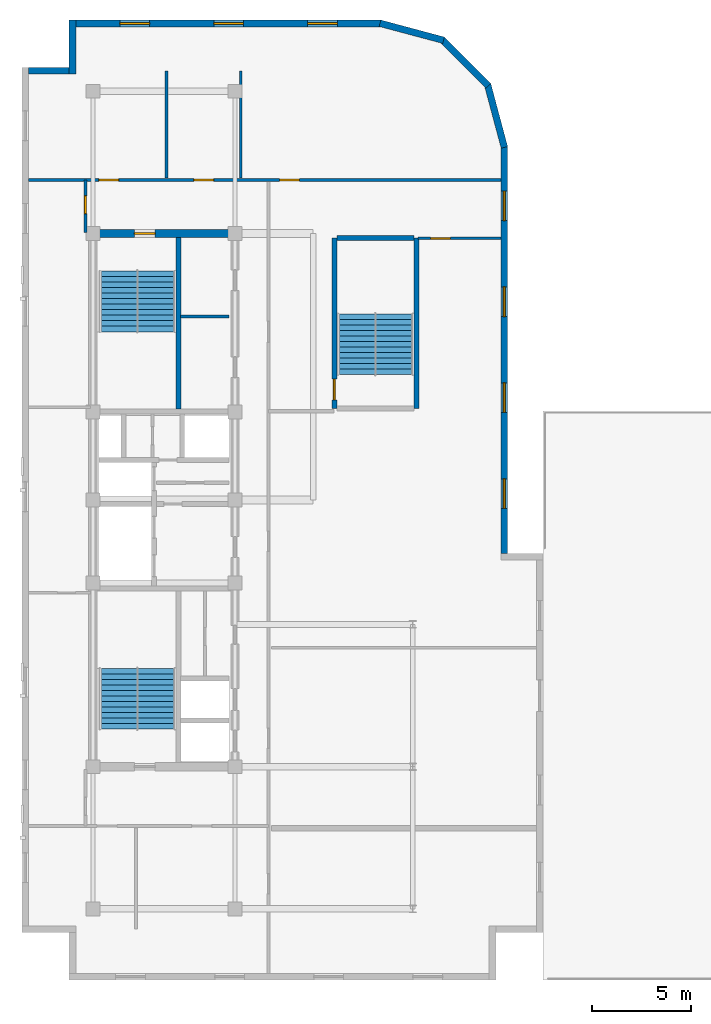
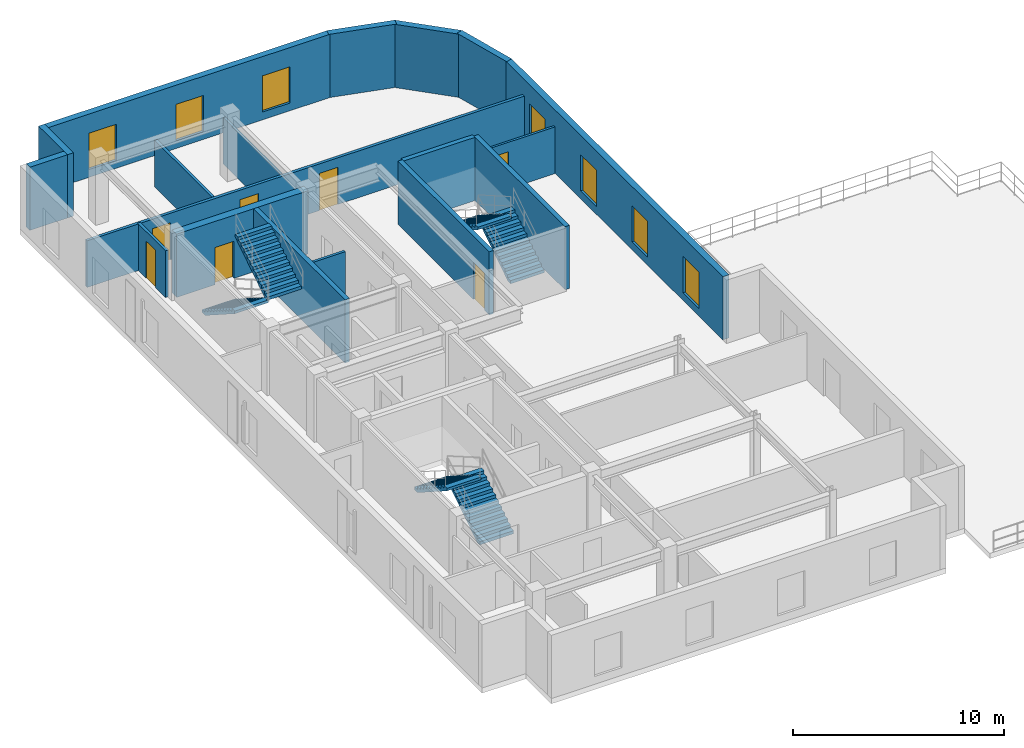
# One storey, part 4 of 7: 18 walls, 7 doors, 7 windows, 6 stair flights, 14 openings, 3 elements without a shape of their own.
"""IFC4 building model written with IfcOpenShell, lengths in metres."""

from ifc_helpers import new_model, entity, si_unit, converted_unit, direction, frame, origin_with_axes, origin_2d_with_axis, place, context, subcontext, project, spatial, polyline, rectangle, outline, extrude, material, layer, layer_set, type_object, element, fill, aggregate, save


model = new_model("IFC4")

# Units and contexts
model_context = context("Model", 3, precision=1e-05, world=origin_with_axes(), true_north=direction((0.0, 1.0)))
body_context = subcontext(model_context, "Body", "Model", "MODEL_VIEW")
ifc_project = project(units=[si_unit("LENGTHUNIT", "METRE"), si_unit("AREAUNIT", "SQUARE_METRE"), si_unit("VOLUMEUNIT", "CUBIC_METRE"), converted_unit("PLANEANGLEUNIT", "DEGREE", entity("IfcPlaneAngleMeasure", 0.017453292519943295), si_unit("PLANEANGLEUNIT", "RADIAN"), dimensions=[0, 0, 0, 0, 0, 0, 0]), si_unit("MASSUNIT", "GRAM", prefix="KILO"), si_unit("THERMODYNAMICTEMPERATUREUNIT", "KELVIN")], contexts=[model_context])

# Site, building, storey
site_placement = place(None, origin_with_axes())
site = spatial("IfcSite", under=ifc_project, at=site_placement, CompositionType="ELEMENT")
building_placement = place(site_placement, origin_with_axes())
building = spatial("IfcBuilding", under=site, at=building_placement, Name="Varnlund Millrace Tower", CompositionType="ELEMENT")
storey_placement = place(building_placement, frame((0.0, 0.0, 288.0), z_axis=(0.0, 0.0, 1.0), x_axis=(1.0, 0.0, 0.0)))
storey = spatial("IfcBuildingStorey", under=building, at=storey_placement, Name="L71", CompositionType="ELEMENT", Elevation=288.0)

# Wall, opening, door
ifc_material_1 = material(Name="Concrete C60/75", Category="concrete")
ifc_layer_1 = layer(ifc_material_1, 0.42, Name="Concrete C60/75")
ifc_layer_set_1 = layer_set([ifc_layer_1], Name="Concrete C60/75")
wall_type_1 = type_object("IfcWallType", Name="Type-CoreWall-Shear-420-C60", PredefinedType="SHEAR", material=ifc_layer_set_1)
wall_1_placement = place(storey_placement, frame((11.4, 37.8, 0.0), z_axis=(0.0, 0.0, 1.0), x_axis=(1.0, 0.0, 0.0)))
wall_1 = element("IfcWall", 1, at=wall_1_placement, inside=storey, type_object=wall_type_1, Name="Type-CoreWall-Shear-420-C60", PredefinedType="SHEAR", context=body_context, shape_type="SweptSolid", body=[
    extrude(outline(polyline([(0.0, -0.21), (7.2, -0.21), (7.2, 0.21), (0.0, 0.21), (0.0, -0.21)])), origin_with_axes(), (0.0, 0.0, 1.0), 3.66),
])
opening_1_placement = place(wall_1_placement, frame((2.625, 0.0, 0.0), z_axis=(0.0, 0.0, 1.0), x_axis=(1.0, 0.0, 0.0)))
opening_1 = element("IfcOpeningElement", 2, at=opening_1_placement, cuts=wall_1, Name="Opening L71:DR-STA2", PredefinedType="OPENING", context=body_context, shape_type="SweptSolid", body=[
    extrude(rectangle(XDim=1.05, YDim=0.44, at=origin_2d_with_axis()), origin_with_axes(), (0.0, 0.0, 1.0), 2.15),
])
ifc_material_2 = material(Name="Fire-rated hollow steel door", Category="steel")
door_type_1 = type_object("IfcDoorType", Name="Type-FireDoor-Stair-1050X2150", OperationType="NOTDEFINED", PredefinedType="DOOR", material=ifc_material_2)
door_1_placement = place(wall_1_placement, frame((2.625, 0.0, 0.0), z_axis=(0.0, 0.0, 1.0), x_axis=(1.0, 0.0, 0.0)))
door_1 = element("IfcDoor", 3, at=door_1_placement, inside=storey, type_object=door_type_1, Name="Type-FireDoor-Stair-1050X2150", OperationType="SINGLE_SWING_RIGHT", OverallHeight=2.15, OverallWidth=1.05, PredefinedType="DOOR", context=body_context, shape_type="SweptSolid", body=[
    extrude(rectangle(XDim=1.05, YDim=0.09, at=origin_2d_with_axis()), origin_with_axes(), (0.0, 0.0, 1.0), 2.15),
])
fill(opening_1, door_1)

# Walls
ifc_material_3 = material(Name="Precast concrete C50/60", Category="concrete")
ifc_layer_2 = layer(ifc_material_3, 0.34, Name="Precast concrete C50/60")
ifc_layer_set_2 = layer_set([ifc_layer_2], Name="Precast concrete C50/60")
wall_type_2 = type_object("IfcWallType", Name="Type-ExtWall-Precast-Upper-340", PredefinedType="SOLIDWALL", material=ifc_layer_set_2)
wall_2_placement = place(storey_placement, frame((8.14, 46.03, 0.0), z_axis=(0.0, 0.0, 1.0), x_axis=(1.0, 0.0, 0.0)))
element("IfcWall", 4, at=wall_2_placement, inside=storey, type_object=wall_type_2, Name="Type-ExtWall-Precast-Upper-340", PredefinedType="SOLIDWALL", context=body_context, shape_type="SweptSolid", body=[
    extrude(outline(polyline([(0.0, -0.17), (2.06, -0.17), (2.06, 0.17), (0.0, 0.17), (0.0, -0.17)])), origin_with_axes(), (0.0, 0.0, 1.0), 3.66),
])
wall_3_placement = place(storey_placement, frame((10.37, 45.86, 0.0), z_axis=(0.0, 0.0, 1.0), x_axis=(0.0, 1.0, 0.0)))
element("IfcWall", 5, at=wall_3_placement, inside=storey, type_object=wall_type_2, Name="Type-ExtWall-Precast-Upper-340", PredefinedType="SOLIDWALL", context=body_context, shape_type="SweptSolid", body=[
    extrude(outline(polyline([(0.0, -0.17), (2.74, -0.17), (2.74, 0.17), (0.0, 0.17), (0.0, -0.17)])), origin_with_axes(), (0.0, 0.0, 1.0), 3.66),
])

# Wall, openings, windows
wall_4_placement = place(storey_placement, frame((10.54, 48.43, 0.0), z_axis=(0.0, 0.0, 1.0), x_axis=(1.0, 0.0, 0.0)))
wall_4 = element("IfcWall", 6, at=wall_4_placement, inside=storey, type_object=wall_type_2, Name="Type-ExtWall-Precast-Upper-340", PredefinedType="SOLIDWALL", context=body_context, shape_type="SweptSolid", body=[
    extrude(outline(polyline([(0.0, -0.17), (15.46, -0.17), (15.46, 0.17), (0.0, 0.17), (0.0, -0.17)])), origin_with_axes(), (0.0, 0.0, 1.0), 3.66),
])
opening_2_placement = place(wall_4_placement, frame((2.977, 0.0, 0.45), z_axis=(0.0, 0.0, 1.0), x_axis=(1.0, 0.0, 0.0)))
opening_2 = element("IfcOpeningElement", 7, at=opening_2_placement, cuts=wall_4, Name="Opening L71:WN-12", PredefinedType="OPENING", context=body_context, shape_type="SweptSolid", body=[
    extrude(rectangle(XDim=1.5, YDim=0.36, at=origin_2d_with_axis()), origin_with_axes(), (0.0, 0.0, 1.0), 2.1),
])
opening_3_placement = place(wall_4_placement, frame((7.73, 0.0, 0.45), z_axis=(0.0, 0.0, 1.0), x_axis=(1.0, 0.0, 0.0)))
opening_3 = element("IfcOpeningElement", 8, at=opening_3_placement, cuts=wall_4, Name="Opening L71:WN-13", PredefinedType="OPENING", context=body_context, shape_type="SweptSolid", body=[
    extrude(rectangle(XDim=1.5, YDim=0.36, at=origin_2d_with_axis()), origin_with_axes(), (0.0, 0.0, 1.0), 2.1),
])
opening_4_placement = place(wall_4_placement, frame((12.483, 0.0, 0.45), z_axis=(0.0, 0.0, 1.0), x_axis=(1.0, 0.0, 0.0)))
opening_4 = element("IfcOpeningElement", 9, at=opening_4_placement, cuts=wall_4, Name="Opening L71:WN-14", PredefinedType="OPENING", context=body_context, shape_type="SweptSolid", body=[
    extrude(rectangle(XDim=1.5, YDim=0.36, at=origin_2d_with_axis()), origin_with_axes(), (0.0, 0.0, 1.0), 2.1),
])
ifc_material_4 = material(Name="Argon low-e triple glazing in thermally broken bronze frame", Category="glass")
window_type = type_object("IfcWindowType", Name="Type-Window-Punched-1500X2100", PartitioningType="SINGLE_PANEL", PredefinedType="WINDOW", material=ifc_material_4)
window_1_placement = place(wall_4_placement, frame((2.977, 0.0, 0.45), z_axis=(0.0, 0.0, 1.0), x_axis=(1.0, 0.0, 0.0)))
window_1 = element("IfcWindow", 10, at=window_1_placement, inside=storey, type_object=window_type, Name="Type-Window-Punched-1500X2100", OverallHeight=2.1, OverallWidth=1.5, PredefinedType="WINDOW", context=body_context, shape_type="SweptSolid", body=[
    extrude(rectangle(XDim=1.5, YDim=0.09, at=origin_2d_with_axis()), origin_with_axes(), (0.0, 0.0, 1.0), 2.1),
])
fill(opening_2, window_1)
window_2_placement = place(wall_4_placement, frame((7.73, 0.0, 0.45), z_axis=(0.0, 0.0, 1.0), x_axis=(1.0, 0.0, 0.0)))
window_2 = element("IfcWindow", 11, at=window_2_placement, inside=storey, type_object=window_type, Name="Type-Window-Punched-1500X2100", OverallHeight=2.1, OverallWidth=1.5, PredefinedType="WINDOW", context=body_context, shape_type="SweptSolid", body=[
    extrude(rectangle(XDim=1.5, YDim=0.09, at=origin_2d_with_axis()), origin_with_axes(), (0.0, 0.0, 1.0), 2.1),
])
fill(opening_3, window_2)
window_3_placement = place(wall_4_placement, frame((12.483, 0.0, 0.45), z_axis=(0.0, 0.0, 1.0), x_axis=(1.0, 0.0, 0.0)))
window_3 = element("IfcWindow", 12, at=window_3_placement, inside=storey, type_object=window_type, Name="Type-Window-Punched-1500X2100", OverallHeight=2.1, OverallWidth=1.5, PredefinedType="WINDOW", context=body_context, shape_type="SweptSolid", body=[
    extrude(rectangle(XDim=1.5, YDim=0.09, at=origin_2d_with_axis()), origin_with_axes(), (0.0, 0.0, 1.0), 2.1),
])
fill(opening_4, window_3)

# Walls
wall_5_placement = place(storey_placement, frame((25.937, 48.441, 0.0), z_axis=(0.0, 0.0, 1.0), x_axis=(0.965965, -0.258671, 0.0)))
element("IfcWall", 13, at=wall_5_placement, inside=storey, type_object=wall_type_2, Name="Type-ExtWall-Precast-Upper-340", PredefinedType="SOLIDWALL", context=body_context, shape_type="SweptSolid", body=[
    extrude(outline(polyline([(0.0, -0.17), (3.332417, -0.17), (3.332417, 0.17), (0.0, 0.17), (0.0, -0.17)])), origin_with_axes(), (0.0, 0.0, 1.0), 3.66),
])
wall_6_placement = place(storey_placement, frame((29.066, 47.637, 0.0), z_axis=(0.0, 0.0, 1.0), x_axis=(0.707107, -0.707107, 0.0)))
element("IfcWall", 14, at=wall_6_placement, inside=storey, type_object=wall_type_2, Name="Type-ExtWall-Precast-Upper-340", PredefinedType="SOLIDWALL", context=body_context, shape_type="SweptSolid", body=[
    extrude(outline(polyline([(0.0, -0.17), (3.333301, -0.17), (3.333301, 0.17), (0.0, 0.17), (0.0, -0.17)])), origin_with_axes(), (0.0, 0.0, 1.0), 3.66),
])
wall_7_placement = place(storey_placement, frame((31.374, 45.375, 0.0), z_axis=(0.0, 0.0, 1.0), x_axis=(0.258671, -0.965965, 0.0)))
element("IfcWall", 15, at=wall_7_placement, inside=storey, type_object=wall_type_2, Name="Type-ExtWall-Precast-Upper-340", PredefinedType="SOLIDWALL", context=body_context, shape_type="SweptSolid", body=[
    extrude(outline(polyline([(0.0, -0.17), (3.332417, -0.17), (3.332417, 0.17), (0.0, 0.17), (0.0, -0.17)])), origin_with_axes(), (0.0, 0.0, 1.0), 3.66),
])

# Wall, openings, windows
wall_8_placement = place(storey_placement, frame((32.23, 42.22, 0.0), z_axis=(0.0, 0.0, 1.0), x_axis=(0.0, -1.0, 0.0)))
wall_8 = element("IfcWall", 16, at=wall_8_placement, inside=storey, type_object=wall_type_2, Name="Type-ExtWall-Precast-Upper-340", PredefinedType="SOLIDWALL", context=body_context, shape_type="SweptSolid", body=[
    extrude(outline(polyline([(0.0, -0.17), (20.62, -0.17), (20.62, 0.17), (0.0, 0.17), (0.0, -0.17)])), origin_with_axes(), (0.0, 0.0, 1.0), 3.66),
])
opening_5_placement = place(wall_8_placement, frame((3.027, 0.0, 0.45), z_axis=(0.0, 0.0, 1.0), x_axis=(1.0, 0.0, 0.0)))
opening_5 = element("IfcOpeningElement", 17, at=opening_5_placement, cuts=wall_8, Name="Opening L71:WN-15", PredefinedType="OPENING", context=body_context, shape_type="SweptSolid", body=[
    extrude(rectangle(XDim=1.5, YDim=0.36, at=origin_2d_with_axis()), origin_with_axes(), (0.0, 0.0, 1.0), 2.1),
])
opening_6_placement = place(wall_8_placement, frame((7.882, 0.0, 0.45), z_axis=(0.0, 0.0, 1.0), x_axis=(1.0, 0.0, 0.0)))
opening_6 = element("IfcOpeningElement", 18, at=opening_6_placement, cuts=wall_8, Name="Opening L71:WN-16", PredefinedType="OPENING", context=body_context, shape_type="SweptSolid", body=[
    extrude(rectangle(XDim=1.5, YDim=0.36, at=origin_2d_with_axis()), origin_with_axes(), (0.0, 0.0, 1.0), 2.1),
])
opening_7_placement = place(wall_8_placement, frame((12.737, 0.0, 0.45), z_axis=(0.0, 0.0, 1.0), x_axis=(1.0, 0.0, 0.0)))
opening_7 = element("IfcOpeningElement", 19, at=opening_7_placement, cuts=wall_8, Name="Opening L71:WN-17", PredefinedType="OPENING", context=body_context, shape_type="SweptSolid", body=[
    extrude(rectangle(XDim=1.5, YDim=0.36, at=origin_2d_with_axis()), origin_with_axes(), (0.0, 0.0, 1.0), 2.1),
])
opening_8_placement = place(wall_8_placement, frame((17.593, 0.0, 0.45), z_axis=(0.0, 0.0, 1.0), x_axis=(1.0, 0.0, 0.0)))
opening_8 = element("IfcOpeningElement", 20, at=opening_8_placement, cuts=wall_8, Name="Opening L71:WN-18", PredefinedType="OPENING", context=body_context, shape_type="SweptSolid", body=[
    extrude(rectangle(XDim=1.5, YDim=0.36, at=origin_2d_with_axis()), origin_with_axes(), (0.0, 0.0, 1.0), 2.1),
])
window_4_placement = place(wall_8_placement, frame((3.027, 0.0, 0.45), z_axis=(0.0, 0.0, 1.0), x_axis=(1.0, 0.0, 0.0)))
window_4 = element("IfcWindow", 21, at=window_4_placement, inside=storey, type_object=window_type, Name="Type-Window-Punched-1500X2100", OverallHeight=2.1, OverallWidth=1.5, PredefinedType="WINDOW", context=body_context, shape_type="SweptSolid", body=[
    extrude(rectangle(XDim=1.5, YDim=0.09, at=origin_2d_with_axis()), origin_with_axes(), (0.0, 0.0, 1.0), 2.1),
])
fill(opening_5, window_4)
window_5_placement = place(wall_8_placement, frame((7.882, 0.0, 0.45), z_axis=(0.0, 0.0, 1.0), x_axis=(1.0, 0.0, 0.0)))
window_5 = element("IfcWindow", 22, at=window_5_placement, inside=storey, type_object=window_type, Name="Type-Window-Punched-1500X2100", OverallHeight=2.1, OverallWidth=1.5, PredefinedType="WINDOW", context=body_context, shape_type="SweptSolid", body=[
    extrude(rectangle(XDim=1.5, YDim=0.09, at=origin_2d_with_axis()), origin_with_axes(), (0.0, 0.0, 1.0), 2.1),
])
fill(opening_6, window_5)
window_6_placement = place(wall_8_placement, frame((12.737, 0.0, 0.45), z_axis=(0.0, 0.0, 1.0), x_axis=(1.0, 0.0, 0.0)))
window_6 = element("IfcWindow", 23, at=window_6_placement, inside=storey, type_object=window_type, Name="Type-Window-Punched-1500X2100", OverallHeight=2.1, OverallWidth=1.5, PredefinedType="WINDOW", context=body_context, shape_type="SweptSolid", body=[
    extrude(rectangle(XDim=1.5, YDim=0.09, at=origin_2d_with_axis()), origin_with_axes(), (0.0, 0.0, 1.0), 2.1),
])
fill(opening_7, window_6)
window_7_placement = place(wall_8_placement, frame((17.593, 0.0, 0.45), z_axis=(0.0, 0.0, 1.0), x_axis=(1.0, 0.0, 0.0)))
window_7 = element("IfcWindow", 24, at=window_7_placement, inside=storey, type_object=window_type, Name="Type-Window-Punched-1500X2100", OverallHeight=2.1, OverallWidth=1.5, PredefinedType="WINDOW", context=body_context, shape_type="SweptSolid", body=[
    extrude(rectangle(XDim=1.5, YDim=0.09, at=origin_2d_with_axis()), origin_with_axes(), (0.0, 0.0, 1.0), 2.1),
])
fill(opening_8, window_7)

# Wall, openings, doors
ifc_material_5 = material(Name="Fire-rated gypsum board on cold-formed steel framing", Category="steel")
ifc_layer_3 = layer(ifc_material_5, 0.16, Name="Fire-rated gypsum board on cold-formed steel framing")
ifc_layer_set_3 = layer_set([ifc_layer_3], Name="Fire-rated gypsum board on cold-formed steel framing")
wall_type_3 = type_object("IfcWallType", Name="Type-Partition-Corridor-160", PredefinedType="PARTITIONING", material=ifc_layer_set_3)
wall_9_placement = place(storey_placement, frame((8.135, 40.5, 0.0), z_axis=(0.0, 0.0, 1.0), x_axis=(1.0, 0.0, 0.0)))
wall_9 = element("IfcWall", 25, at=wall_9_placement, inside=storey, type_object=wall_type_3, Name="Type-Partition-Corridor-160", PredefinedType="PARTITIONING", context=body_context, shape_type="SweptSolid", body=[
    extrude(outline(polyline([(0.0, -0.08), (23.93, -0.08), (23.93, 0.08), (0.0, 0.08), (0.0, -0.08)])), origin_with_axes(), (0.0, 0.0, 1.0), 2.7),
])
opening_9_placement = place(wall_9_placement, frame((4.069, 0.0, 0.0), z_axis=(0.0, 0.0, 1.0), x_axis=(1.0, 0.0, 0.0)))
opening_9 = element("IfcOpeningElement", 26, at=opening_9_placement, cuts=wall_9, Name="Opening L71:DR-WAN-01", PredefinedType="OPENING", context=body_context, shape_type="SweptSolid", body=[
    extrude(rectangle(XDim=1.0, YDim=0.18, at=origin_2d_with_axis()), origin_with_axes(), (0.0, 0.0, 1.0), 2.15),
])
opening_10_placement = place(wall_9_placement, frame((8.875, 0.0, 0.0), z_axis=(0.0, 0.0, 1.0), x_axis=(1.0, 0.0, 0.0)))
opening_10 = element("IfcOpeningElement", 27, at=opening_10_placement, cuts=wall_9, Name="Opening L71:DR-WAN-02", PredefinedType="OPENING", context=body_context, shape_type="SweptSolid", body=[
    extrude(rectangle(XDim=1.0, YDim=0.18, at=origin_2d_with_axis()), origin_with_axes(), (0.0, 0.0, 1.0), 2.15),
])
opening_11_placement = place(wall_9_placement, frame((13.22, 0.0, 0.0), z_axis=(0.0, 0.0, 1.0), x_axis=(1.0, 0.0, 0.0)))
opening_11 = element("IfcOpeningElement", 28, at=opening_11_placement, cuts=wall_9, Name="Opening L71:DR-WAN-03", PredefinedType="OPENING", context=body_context, shape_type="SweptSolid", body=[
    extrude(rectangle(XDim=1.0, YDim=0.18, at=origin_2d_with_axis()), origin_with_axes(), (0.0, 0.0, 1.0), 2.15),
])
ifc_material_6 = material(Name="Solid-core white oak and bronze frame door")
door_type_2 = type_object("IfcDoorType", Name="Type-IntDoor-Office-1000X2150", OperationType="NOTDEFINED", PredefinedType="DOOR", material=ifc_material_6)
door_2_placement = place(wall_9_placement, frame((4.069, 0.0, 0.0), z_axis=(0.0, 0.0, 1.0), x_axis=(1.0, 0.0, 0.0)))
door_2 = element("IfcDoor", 29, at=door_2_placement, inside=storey, type_object=door_type_2, Name="Type-IntDoor-Office-1000X2150", OperationType="SINGLE_SWING_LEFT", OverallHeight=2.15, OverallWidth=1.0, PredefinedType="DOOR", context=body_context, shape_type="SweptSolid", body=[
    extrude(rectangle(XDim=1.0, YDim=0.09, at=origin_2d_with_axis()), origin_with_axes(), (0.0, 0.0, 1.0), 2.15),
])
fill(opening_9, door_2)
door_3_placement = place(wall_9_placement, frame((8.875, 0.0, 0.0), z_axis=(0.0, 0.0, 1.0), x_axis=(1.0, 0.0, 0.0)))
door_3 = element("IfcDoor", 30, at=door_3_placement, inside=storey, type_object=door_type_2, Name="Type-IntDoor-Office-1000X2150", OperationType="SINGLE_SWING_RIGHT", OverallHeight=2.15, OverallWidth=1.0, PredefinedType="DOOR", context=body_context, shape_type="SweptSolid", body=[
    extrude(rectangle(XDim=1.0, YDim=0.09, at=origin_2d_with_axis()), origin_with_axes(), (0.0, 0.0, 1.0), 2.15),
])
fill(opening_10, door_3)
door_4_placement = place(wall_9_placement, frame((13.22, 0.0, 0.0), z_axis=(0.0, 0.0, 1.0), x_axis=(1.0, 0.0, 0.0)))
door_4 = element("IfcDoor", 31, at=door_4_placement, inside=storey, type_object=door_type_2, Name="Type-IntDoor-Office-1000X2150", OperationType="SINGLE_SWING_LEFT", OverallHeight=2.15, OverallWidth=1.0, PredefinedType="DOOR", context=body_context, shape_type="SweptSolid", body=[
    extrude(rectangle(XDim=1.0, YDim=0.09, at=origin_2d_with_axis()), origin_with_axes(), (0.0, 0.0, 1.0), 2.15),
])
fill(opening_11, door_4)

# Wall, opening, door
wall_10_placement = place(storey_placement, frame((11.02, 37.85, 0.0), z_axis=(0.0, 0.0, 1.0), x_axis=(0.0, 1.0, 0.0)))
wall_10 = element("IfcWall", 32, at=wall_10_placement, inside=storey, type_object=wall_type_3, Name="Type-Partition-Corridor-160", PredefinedType="PARTITIONING", context=body_context, shape_type="SweptSolid", body=[
    extrude(outline(polyline([(0.0, -0.08), (2.65, -0.08), (2.65, 0.08), (0.0, 0.08), (0.0, -0.08)])), origin_with_axes(), (0.0, 0.0, 1.0), 2.7),
])
opening_12_placement = place(wall_10_placement, frame((1.4, 0.0, 0.0), z_axis=(0.0, 0.0, 1.0), x_axis=(1.0, 0.0, 0.0)))
opening_12 = element("IfcOpeningElement", 33, at=opening_12_placement, cuts=wall_10, Name="Opening L71:DR-WU-N1", PredefinedType="OPENING", context=body_context, shape_type="SweptSolid", body=[
    extrude(rectangle(XDim=0.9, YDim=0.18, at=origin_2d_with_axis()), origin_with_axes(), (0.0, 0.0, 1.0), 2.15),
])
ifc_material_7 = material(Name="Painted steel riser and closet door", Category="steel")
door_type_3 = type_object("IfcDoorType", Name="Type-IntDoor-Closet-900X2150", OperationType="NOTDEFINED", PredefinedType="DOOR", material=ifc_material_7)
door_5_placement = place(wall_10_placement, frame((1.4, 0.0, 0.0), z_axis=(0.0, 0.0, 1.0), x_axis=(1.0, 0.0, 0.0)))
door_5 = element("IfcDoor", 34, at=door_5_placement, inside=storey, type_object=door_type_3, Name="Type-IntDoor-Closet-900X2150", OperationType="SINGLE_SWING_RIGHT", OverallHeight=2.15, OverallWidth=0.9, PredefinedType="DOOR", context=body_context, shape_type="SweptSolid", body=[
    extrude(rectangle(XDim=0.9, YDim=0.09, at=origin_2d_with_axis()), origin_with_axes(), (0.0, 0.0, 1.0), 2.15),
])
fill(opening_12, door_5)

# Walls
ifc_material_8 = material(Name="Acoustic STC-50 gypsum board partition", Category="gypsum")
ifc_layer_4 = layer(ifc_material_8, 0.15, Name="Acoustic STC-50 gypsum board partition")
ifc_layer_set_4 = layer_set([ifc_layer_4], Name="Acoustic STC-50 gypsum board partition")
wall_type_4 = type_object("IfcWallType", Name="Type-Partition-Demising-150", PredefinedType="PARTITIONING", material=ifc_layer_set_4)
wall_11_placement = place(storey_placement, frame((15.139, 40.6, 0.0), z_axis=(0.0, 0.0, 1.0), x_axis=(0.0, 1.0, 0.0)))
element("IfcWall", 35, at=wall_11_placement, inside=storey, type_object=wall_type_4, Name="Type-Partition-Demising-150", PredefinedType="PARTITIONING", context=body_context, shape_type="SweptSolid", body=[
    extrude(outline(polyline([(0.0, -0.075), (5.42, -0.075), (5.42, 0.075), (0.0, 0.075), (0.0, -0.075)])), origin_with_axes(), (0.0, 0.0, 1.0), 2.7),
])
ifc_material_9 = material(Name="Gypsum board tenant partition", Category="gypsum")
ifc_layer_5 = layer(ifc_material_9, 0.125, Name="Gypsum board tenant partition")
ifc_layer_set_5 = layer_set([ifc_layer_5], Name="Gypsum board tenant partition")
wall_type_5 = type_object("IfcWallType", Name="Type-Partition-Tenant-125", PredefinedType="PARTITIONING", material=ifc_layer_set_5)
wall_12_placement = place(storey_placement, frame((18.881, 40.6, 0.0), z_axis=(0.0, 0.0, 1.0), x_axis=(0.0, 1.0, 0.0)))
element("IfcWall", 36, at=wall_12_placement, inside=storey, type_object=wall_type_5, Name="Type-Partition-Tenant-125", PredefinedType="PARTITIONING", context=body_context, shape_type="SweptSolid", body=[
    extrude(outline(polyline([(0.0, -0.0625), (5.42, -0.0625), (5.42, 0.0625), (0.0, 0.0625), (0.0, -0.0625)])), origin_with_axes(), (0.0, 0.0, 1.0), 2.7),
])

# Wall, opening, door
wall_13_placement = place(storey_placement, frame((27.85, 37.55, 0.0), z_axis=(0.0, 0.0, 1.0), x_axis=(1.0, 0.0, 0.0)))
wall_13 = element("IfcWall", 37, at=wall_13_placement, inside=storey, type_object=wall_type_5, Name="Type-Partition-Tenant-125", PredefinedType="PARTITIONING", context=body_context, shape_type="SweptSolid", body=[
    extrude(outline(polyline([(0.0, -0.0625), (4.215, -0.0625), (4.215, 0.0625), (0.0, 0.0625), (0.0, -0.0625)])), origin_with_axes(), (0.0, 0.0, 1.0), 2.7),
])
opening_13_placement = place(wall_13_placement, frame((1.15, 0.0, 0.0), z_axis=(0.0, 0.0, 1.0), x_axis=(1.0, 0.0, 0.0)))
opening_13 = element("IfcOpeningElement", 38, at=opening_13_placement, cuts=wall_13, Name="Opening L71:DR-SUM-N", PredefinedType="OPENING", context=body_context, shape_type="SweptSolid", body=[
    extrude(rectangle(XDim=1.0, YDim=0.145, at=origin_2d_with_axis()), origin_with_axes(), (0.0, 0.0, 1.0), 2.15),
])
door_6_placement = place(wall_13_placement, frame((1.15, 0.0, 0.0), z_axis=(0.0, 0.0, 1.0), x_axis=(1.0, 0.0, 0.0)))
door_6 = element("IfcDoor", 39, at=door_6_placement, inside=storey, type_object=door_type_2, Name="Type-IntDoor-Office-1000X2150", OperationType="SINGLE_SWING_LEFT", OverallHeight=2.15, OverallWidth=1.0, PredefinedType="DOOR", context=body_context, shape_type="SweptSolid", body=[
    extrude(rectangle(XDim=1.0, YDim=0.075, at=origin_2d_with_axis()), origin_with_axes(), (0.0, 0.0, 1.0), 2.15),
])
fill(opening_13, door_6)

# Walls
ifc_material_10 = material(Name="Moisture-resistant gypsum restroom partition", Category="gypsum")
ifc_layer_6 = layer(ifc_material_10, 0.14, Name="Moisture-resistant gypsum restroom partition")
ifc_layer_set_6 = layer_set([ifc_layer_6], Name="Moisture-resistant gypsum restroom partition")
wall_type_6 = type_object("IfcWallType", Name="Type-Partition-Wet-140", PredefinedType="PARTITIONING", material=ifc_layer_set_6)
wall_14_placement = place(storey_placement, frame((15.84, 33.6, 0.0), z_axis=(0.0, 0.0, 1.0), x_axis=(1.0, 0.0, 0.0)))
element("IfcWall", 40, at=wall_14_placement, inside=storey, type_object=wall_type_6, Name="Type-Partition-Wet-140", PredefinedType="PARTITIONING", context=body_context, shape_type="SweptSolid", body=[
    extrude(outline(polyline([(0.0, -0.07), (2.46, -0.07), (2.46, 0.07), (0.0, 0.07), (0.0, -0.07)])), origin_with_axes(), (0.0, 0.0, 1.0), 2.7),
])
ifc_layer_7 = layer(ifc_material_1, 0.25, Name="Concrete C60/75")
ifc_layer_set_7 = layer_set([ifc_layer_7], Name="Concrete C60/75")
wall_type_7 = type_object("IfcWallType", Name="Type-StairWall-Shear-250", PredefinedType="SHEAR", material=ifc_layer_set_7)
wall_15_placement = place(storey_placement, frame((15.725, 28.9, 0.0), z_axis=(0.0, 0.0, 1.0), x_axis=(0.0, 1.0, 0.0)))
element("IfcWall", 41, at=wall_15_placement, inside=storey, type_object=wall_type_7, Name="Type-StairWall-Shear-250", PredefinedType="SHEAR", context=body_context, shape_type="SweptSolid", body=[
    extrude(outline(polyline([(0.0, -0.125), (8.69, -0.125), (8.69, 0.125), (0.0, 0.125), (0.0, -0.125)])), origin_with_axes(), (0.0, 0.0, 1.0), 3.66),
])

# Wall, opening, door
wall_16_placement = place(storey_placement, frame((23.625, 28.925, 0.0), z_axis=(0.0, 0.0, 1.0), x_axis=(0.0, 1.0, 0.0)))
wall_16 = element("IfcWall", 42, at=wall_16_placement, inside=storey, type_object=wall_type_7, Name="Type-StairWall-Shear-250", PredefinedType="SHEAR", context=body_context, shape_type="SweptSolid", body=[
    extrude(outline(polyline([(0.0, -0.125), (8.65, -0.125), (8.65, 0.125), (0.0, 0.125), (0.0, -0.125)])), origin_with_axes(), (0.0, 0.0, 1.0), 3.66),
])
opening_14_placement = place(wall_16_placement, frame((0.975, 0.0, 0.0), z_axis=(0.0, 0.0, 1.0), x_axis=(1.0, 0.0, 0.0)))
opening_14 = element("IfcOpeningElement", 43, at=opening_14_placement, cuts=wall_16, Name="Opening L71:DR-STA3", PredefinedType="OPENING", context=body_context, shape_type="SweptSolid", body=[
    extrude(rectangle(XDim=1.05, YDim=0.27, at=origin_2d_with_axis()), origin_with_axes(), (0.0, 0.0, 1.0), 2.15),
])
door_7_placement = place(wall_16_placement, frame((0.975, 0.0, 0.0), z_axis=(0.0, 0.0, 1.0), x_axis=(1.0, 0.0, 0.0)))
door_7 = element("IfcDoor", 44, at=door_7_placement, inside=storey, type_object=door_type_1, Name="Type-FireDoor-Stair-1050X2150", OperationType="SINGLE_SWING_LEFT", OverallHeight=2.15, OverallWidth=1.05, PredefinedType="DOOR", context=body_context, shape_type="SweptSolid", body=[
    extrude(rectangle(XDim=1.05, YDim=0.09, at=origin_2d_with_axis()), origin_with_axes(), (0.0, 0.0, 1.0), 2.15),
])
fill(opening_14, door_7)

# Walls
wall_17_placement = place(storey_placement, frame((27.775, 28.925, 0.0), z_axis=(0.0, 0.0, 1.0), x_axis=(0.0, 1.0, 0.0)))
element("IfcWall", 45, at=wall_17_placement, inside=storey, type_object=wall_type_7, Name="Type-StairWall-Shear-250", PredefinedType="SHEAR", context=body_context, shape_type="SweptSolid", body=[
    extrude(outline(polyline([(0.0, -0.125), (8.65, -0.125), (8.65, 0.125), (0.0, 0.125), (0.0, -0.125)])), origin_with_axes(), (0.0, 0.0, 1.0), 3.66),
])
wall_18_placement = place(storey_placement, frame((23.75, 37.575, 0.0), z_axis=(0.0, 0.0, 1.0), x_axis=(1.0, 0.0, 0.0)))
element("IfcWall", 46, at=wall_18_placement, inside=storey, type_object=wall_type_7, Name="Type-StairWall-Shear-250", PredefinedType="SHEAR", context=body_context, shape_type="SweptSolid", body=[
    extrude(outline(polyline([(0.0, -0.125), (3.9, -0.125), (3.9, 0.125), (0.0, 0.125), (0.0, -0.125)])), origin_with_axes(), (0.0, 0.0, 1.0), 3.66),
])

# Stair, stair flights
ifc_material_11 = material(Name="Concrete C50/60", Category="concrete")
stair_type = type_object("IfcStairType", Name="Type-Stair-Dogleg-185-390", PredefinedType="HALF_TURN_STAIR", material=ifc_material_11)
stair_1_placement = place(storey_placement, origin_with_axes())
stair_1 = element("IfcStair", 47, at=stair_1_placement, inside=storey, type_object=stair_type, Name="Type-Stair-Dogleg-185-390", PredefinedType="HALF_TURN_STAIR")
stair_flight_type = type_object("IfcStairFlightType", Name="Type-Dogleg-Run-185-390", PredefinedType="STRAIGHT", material=ifc_material_3)
stair_flight_1_placement = place(storey_placement, frame((13.625, 12.7, 0.0), z_axis=(1.0, 0.0, 0.0), x_axis=(0.0, 1.0, 0.0)))
stair_flight_1 = element("IfcStairFlight", 48, at=stair_flight_1_placement, type_object=stair_flight_type, Name="ST-A1 flight 1", NumberOfRisers=11, NumberOfTreads=11, PredefinedType="STRAIGHT", RiserHeight=0.177273, TreadLength=0.28, context=body_context, shape_type="SweptSolid", body=[
    extrude(outline(polyline([(0.0, 0.0), (0.0, 0.177273), (0.28, 0.177273), (0.28, 0.354545), (0.56, 0.354545), (0.56, 0.531818), (0.84, 0.531818), (0.84, 0.709091), (1.12, 0.709091), (1.12, 0.886364), (1.4, 0.886364), (1.4, 1.063636), (1.68, 1.063636), (1.68, 1.240909), (1.96, 1.240909), (1.96, 1.418182), (2.24, 1.418182), (2.24, 1.595454), (2.52, 1.595454), (2.52, 1.772727), (2.8, 1.772727), (2.8, 1.95), (3.08, 1.95), (3.08, 1.8), (0.28, 0.0), (0.0, 0.0)])), origin_with_axes(), (0.0, 0.0, 1.0), 1.85),
])
stair_flight_2_placement = place(storey_placement, frame((13.675, 15.78, 1.95), z_axis=(-1.0, 0.0, 0.0), x_axis=(0.0, -1.0, 0.0)))
stair_flight_2 = element("IfcStairFlight", 49, at=stair_flight_2_placement, type_object=stair_flight_type, Name="ST-A1 flight 2", NumberOfRisers=11, NumberOfTreads=11, PredefinedType="STRAIGHT", RiserHeight=0.177273, TreadLength=0.28, context=body_context, shape_type="SweptSolid", body=[
    extrude(outline(polyline([(0.0, 0.0), (0.0, 0.177273), (0.28, 0.177273), (0.28, 0.354545), (0.56, 0.354545), (0.56, 0.531818), (0.84, 0.531818), (0.84, 0.709091), (1.12, 0.709091), (1.12, 0.886364), (1.4, 0.886364), (1.4, 1.063636), (1.68, 1.063636), (1.68, 1.240909), (1.96, 1.240909), (1.96, 1.418182), (2.24, 1.418182), (2.24, 1.595454), (2.52, 1.595454), (2.52, 1.772727), (2.8, 1.772727), (2.8, 1.95), (3.08, 1.95), (3.08, 1.8), (0.28, 0.0), (0.0, 0.0)])), origin_with_axes(), (0.0, 0.0, 1.0), 1.85),
])
aggregate(stair_1, [stair_flight_1, stair_flight_2])

stair_2_placement = place(storey_placement, origin_with_axes())
stair_2 = element("IfcStair", 50, at=stair_2_placement, inside=storey, type_object=stair_type, Name="Type-Stair-Dogleg-185-390", PredefinedType="HALF_TURN_STAIR")
stair_flight_3_placement = place(storey_placement, frame((13.675, 35.9, 0.0), z_axis=(-1.0, 0.0, 0.0), x_axis=(0.0, -1.0, 0.0)))
stair_flight_3 = element("IfcStairFlight", 51, at=stair_flight_3_placement, type_object=stair_flight_type, Name="ST-A2 flight 1", NumberOfRisers=11, NumberOfTreads=11, PredefinedType="STRAIGHT", RiserHeight=0.177273, TreadLength=0.28, context=body_context, shape_type="SweptSolid", body=[
    extrude(outline(polyline([(0.0, 0.0), (0.0, 0.177273), (0.28, 0.177273), (0.28, 0.354545), (0.56, 0.354545), (0.56, 0.531818), (0.84, 0.531818), (0.84, 0.709091), (1.12, 0.709091), (1.12, 0.886364), (1.4, 0.886364), (1.4, 1.063636), (1.68, 1.063636), (1.68, 1.240909), (1.96, 1.240909), (1.96, 1.418182), (2.24, 1.418182), (2.24, 1.595454), (2.52, 1.595454), (2.52, 1.772727), (2.8, 1.772727), (2.8, 1.95), (3.08, 1.95), (3.08, 1.8), (0.28, 0.0), (0.0, 0.0)])), origin_with_axes(), (0.0, 0.0, 1.0), 1.85),
])
stair_flight_4_placement = place(storey_placement, frame((13.625, 32.82, 1.95), z_axis=(1.0, 0.0, 0.0), x_axis=(0.0, 1.0, 0.0)))
stair_flight_4 = element("IfcStairFlight", 52, at=stair_flight_4_placement, type_object=stair_flight_type, Name="ST-A2 flight 2", NumberOfRisers=11, NumberOfTreads=11, PredefinedType="STRAIGHT", RiserHeight=0.177273, TreadLength=0.28, context=body_context, shape_type="SweptSolid", body=[
    extrude(outline(polyline([(0.0, 0.0), (0.0, 0.177273), (0.28, 0.177273), (0.28, 0.354545), (0.56, 0.354545), (0.56, 0.531818), (0.84, 0.531818), (0.84, 0.709091), (1.12, 0.709091), (1.12, 0.886364), (1.4, 0.886364), (1.4, 1.063636), (1.68, 1.063636), (1.68, 1.240909), (1.96, 1.240909), (1.96, 1.418182), (2.24, 1.418182), (2.24, 1.595454), (2.52, 1.595454), (2.52, 1.772727), (2.8, 1.772727), (2.8, 1.95), (3.08, 1.95), (3.08, 1.8), (0.28, 0.0), (0.0, 0.0)])), origin_with_axes(), (0.0, 0.0, 1.0), 1.85),
])
aggregate(stair_2, [stair_flight_3, stair_flight_4])

stair_3_placement = place(storey_placement, origin_with_axes())
stair_3 = element("IfcStair", 53, at=stair_3_placement, inside=storey, type_object=stair_type, Name="Type-Stair-Dogleg-185-390", PredefinedType="HALF_TURN_STAIR")
stair_flight_5_placement = place(storey_placement, frame((25.675, 30.65, 0.0), z_axis=(1.0, 0.0, 0.0), x_axis=(0.0, 1.0, 0.0)))
stair_flight_5 = element("IfcStairFlight", 54, at=stair_flight_5_placement, type_object=stair_flight_type, Name="ST-A3 flight 1", NumberOfRisers=11, NumberOfTreads=11, PredefinedType="STRAIGHT", RiserHeight=0.177273, TreadLength=0.28, context=body_context, shape_type="SweptSolid", body=[
    extrude(outline(polyline([(0.0, 0.0), (0.0, 0.177273), (0.28, 0.177273), (0.28, 0.354545), (0.56, 0.354545), (0.56, 0.531818), (0.84, 0.531818), (0.84, 0.709091), (1.12, 0.709091), (1.12, 0.886364), (1.4, 0.886364), (1.4, 1.063636), (1.68, 1.063636), (1.68, 1.240909), (1.96, 1.240909), (1.96, 1.418182), (2.24, 1.418182), (2.24, 1.595454), (2.52, 1.595454), (2.52, 1.772727), (2.8, 1.772727), (2.8, 1.95), (3.08, 1.95), (3.08, 1.8), (0.28, 0.0), (0.0, 0.0)])), origin_with_axes(), (0.0, 0.0, 1.0), 1.85),
])
stair_flight_6_placement = place(storey_placement, frame((25.725, 33.73, 1.95), z_axis=(-1.0, 0.0, 0.0), x_axis=(0.0, -1.0, 0.0)))
stair_flight_6 = element("IfcStairFlight", 55, at=stair_flight_6_placement, type_object=stair_flight_type, Name="ST-A3 flight 2", NumberOfRisers=11, NumberOfTreads=11, PredefinedType="STRAIGHT", RiserHeight=0.177273, TreadLength=0.28, context=body_context, shape_type="SweptSolid", body=[
    extrude(outline(polyline([(0.0, 0.0), (0.0, 0.177273), (0.28, 0.177273), (0.28, 0.354545), (0.56, 0.354545), (0.56, 0.531818), (0.84, 0.531818), (0.84, 0.709091), (1.12, 0.709091), (1.12, 0.886364), (1.4, 0.886364), (1.4, 1.063636), (1.68, 1.063636), (1.68, 1.240909), (1.96, 1.240909), (1.96, 1.418182), (2.24, 1.418182), (2.24, 1.595454), (2.52, 1.595454), (2.52, 1.772727), (2.8, 1.772727), (2.8, 1.95), (3.08, 1.95), (3.08, 1.8), (0.28, 0.0), (0.0, 0.0)])), origin_with_axes(), (0.0, 0.0, 1.0), 1.85),
])
aggregate(stair_3, [stair_flight_5, stair_flight_6])

save(model, "model.ifc")
